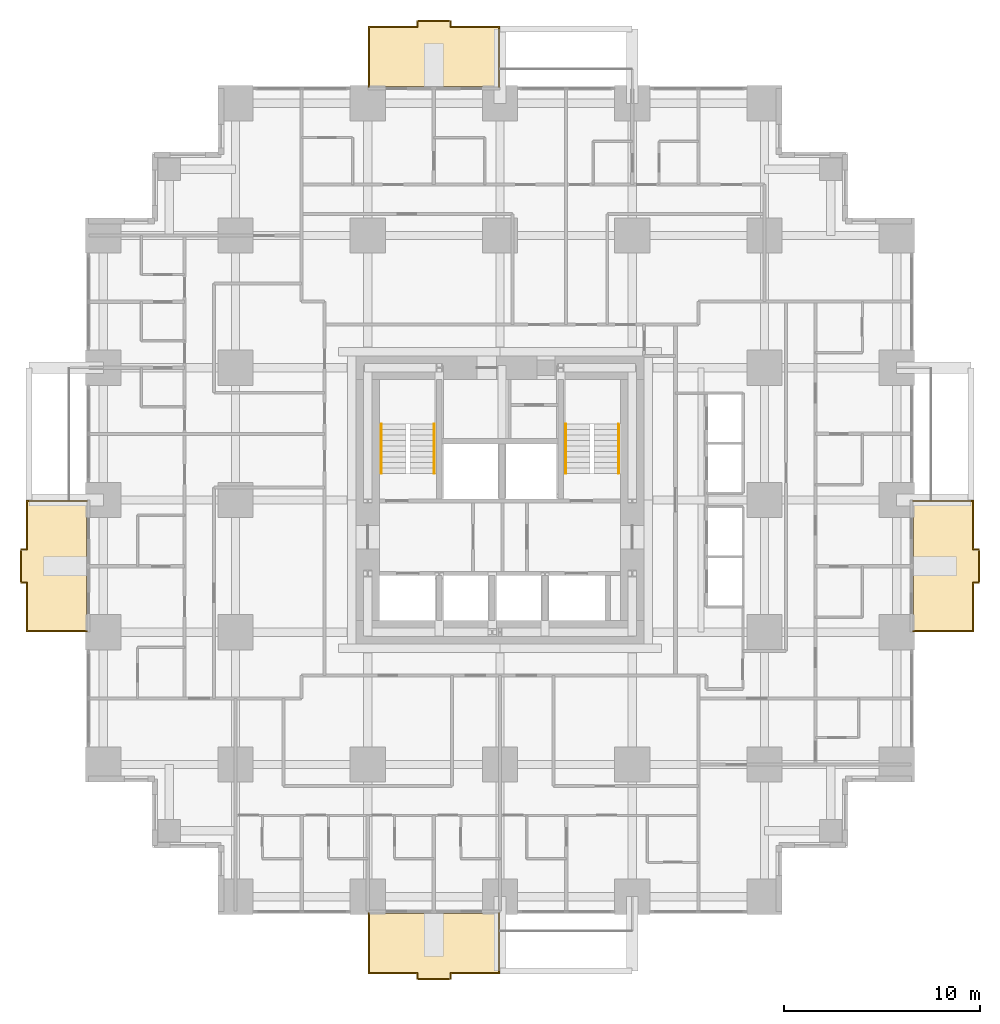
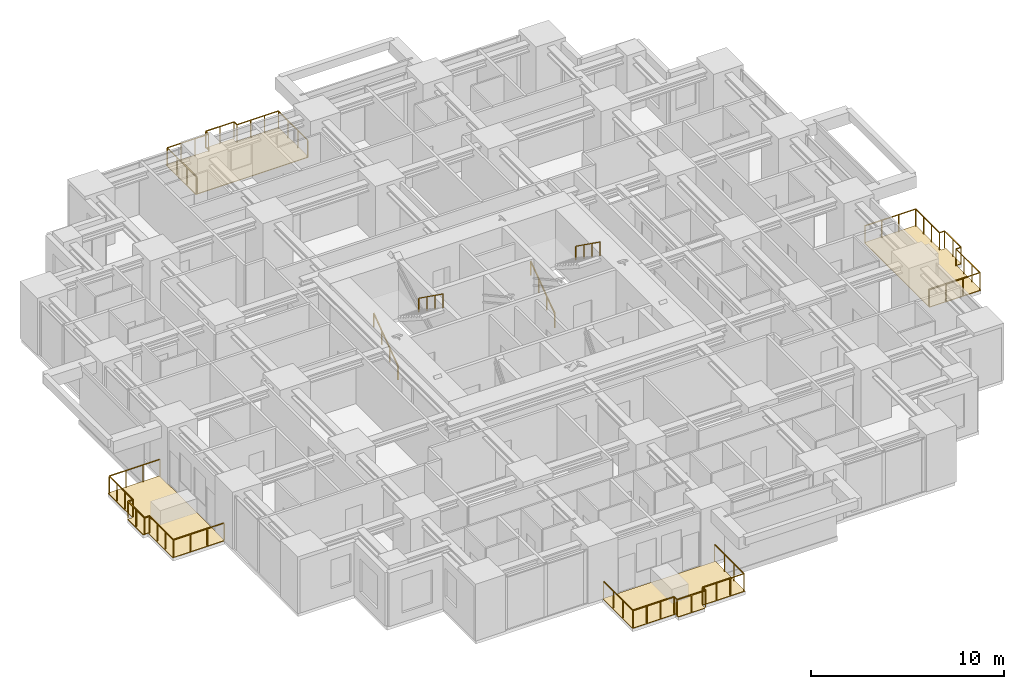
# One storey, part 14 of 14: 8 railings, 4 coverings.
"""IFC4 building model written with IfcOpenShell, lengths in metres."""

from ifc_helpers import new_model, si_unit, direction, frame, origin, origin_2d, place, context, subcontext, project, spatial, polyline, rectangle, outline, extrude, material, layer, layer_set, type_object, element, save


model = new_model("IFC4")

# Units and contexts
model_context = context("Model", 3, precision=1e-05, world=origin(), true_north=direction((0.0, 1.0)))
body_context = subcontext(model_context, "Body", "Model", "MODEL_VIEW")
ifc_project = project(units=[si_unit("LENGTHUNIT", "METRE"), si_unit("AREAUNIT", "SQUARE_METRE"), si_unit("VOLUMEUNIT", "CUBIC_METRE"), si_unit("PLANEANGLEUNIT", "RADIAN"), si_unit("MASSUNIT", "GRAM", prefix="KILO")], contexts=[model_context])

# Site, building, storey
site_placement = place(None, origin())
site = spatial("IfcSite", under=ifc_project, at=site_placement, CompositionType="ELEMENT")
building_placement = place(site_placement, origin())
building = spatial("IfcBuilding", under=site, at=building_placement, Name="Nyansa Garden Tower", CompositionType="ELEMENT")
storey_placement = place(building_placement, frame((0.0, 0.0, 68.39990234375)))
storey = spatial("IfcBuildingStorey", under=building, at=storey_placement, Name="L18", CompositionType="ELEMENT", Elevation=68.39990234375)

# Coverings
ifc_material_1 = material(Name="Hardwood decking on pedestals", Category="wood")
ifc_layer = layer(ifc_material_1, 0.0400390625)
ifc_layer_set = layer_set([ifc_layer], Name="Balcony decking DK40")
covering_type = type_object("IfcCoveringType", Name="Balcony decking DK40", PredefinedType="FLOORING", material=ifc_layer_set)
covering_1_placement = place(storey_placement, frame((0.0, 0.0, -0.039794921875)))
element("IfcCovering", 1, at=covering_1_placement, inside=storey, type_object=covering_type, Name="Balcony decking L18", PredefinedType="FLOORING", context=body_context, shape_type="SweptSolid", body=[
    extrude(outline(polyline([(13.5, -0.85009765625), (20.25, -0.85009765625), (20.25, -3.949951171875), (17.675048828125, -3.949951171875), (17.675048828125, -4.25), (16.074951171875, -4.25), (16.074951171875, -3.949951171875), (13.5, -3.949951171875), (13.5, -0.85009765625)])), origin(), (0.0, 0.0, 1.0), 0.039794921875),
])
covering_2_placement = place(storey_placement, frame((0.0, 0.0, -0.039794921875)))
element("IfcCovering", 2, at=covering_2_placement, inside=storey, type_object=covering_type, Name="Balcony decking L18", PredefinedType="FLOORING", context=body_context, shape_type="SweptSolid", body=[
    extrude(outline(polyline([(41.35009765625, 13.5), (41.35009765625, 20.25), (44.449951171875, 20.25), (44.449951171875, 17.675048828125), (44.75, 17.675048828125), (44.75, 16.074951171875), (44.449951171875, 16.074951171875), (44.449951171875, 13.5), (41.35009765625, 13.5)])), origin(), (0.0, 0.0, 1.0), 0.039794921875),
])
covering_3_placement = place(storey_placement, frame((0.0, 0.0, -0.039794921875)))
element("IfcCovering", 3, at=covering_3_placement, inside=storey, type_object=covering_type, Name="Balcony decking L18", PredefinedType="FLOORING", context=body_context, shape_type="SweptSolid", body=[
    extrude(outline(polyline([(13.5, 41.35009765625), (20.25, 41.35009765625), (20.25, 44.449951171875), (17.675048828125, 44.449951171875), (17.675048828125, 44.75), (16.074951171875, 44.75), (16.074951171875, 44.449951171875), (13.5, 44.449951171875), (13.5, 41.35009765625)])), origin(), (0.0, 0.0, 1.0), 0.039794921875),
])
covering_4_placement = place(storey_placement, frame((0.0, 0.0, -0.039794921875)))
element("IfcCovering", 4, at=covering_4_placement, inside=storey, type_object=covering_type, Name="Balcony decking L18", PredefinedType="FLOORING", context=body_context, shape_type="SweptSolid", body=[
    extrude(outline(polyline([(-0.85009765625, 13.5), (-0.85009765625, 20.25), (-3.949951171875, 20.25), (-3.949951171875, 17.675048828125), (-4.25, 17.675048828125), (-4.25, 16.074951171875), (-3.949951171875, 16.074951171875), (-3.949951171875, 13.5), (-0.85009765625, 13.5)])), origin(), (0.0, 0.0, 1.0), 0.039794921875),
])

# Railings
ifc_material_2 = material(Name="Black powder-coated steel balusters, laminated glass infill", Category="steel")
railing_type_1 = type_object("IfcRailingType", Name="Balcony guard G1", PredefinedType="GUARDRAIL", material=ifc_material_2)
railing_1_placement = place(storey_placement, frame((13.550048828125, -0.85009765625, 0.0)))
element("IfcRailing", 5, at=railing_1_placement, inside=storey, type_object=railing_type_1, Name="Balcony guard L18", PredefinedType="GUARDRAIL", context=body_context, shape_type="SweptSolid", body=[
    extrude(rectangle(XDim=0.048095703125, YDim=0.048095703125, at=origin_2d()), frame((0.0, 0.0, 1.076171875), z_axis=(0.0, -1.0, 0.0), x_axis=(1.0, 0.0, 0.0)), (0.0, 0.0, 1.0), 3.0498046875),
    extrude(rectangle(XDim=0.048095703125, YDim=0.048095703125, at=origin_2d()), frame((0.0, -3.0498046875, 1.076171875), z_axis=(1.0, 0.0, 0.0), x_axis=(0.0, 1.0, 0.0)), (0.0, 0.0, 1.0), 2.474853515625),
    extrude(rectangle(XDim=0.048095703125, YDim=0.048095703125, at=origin_2d()), frame((2.474853515625, -3.0498046875, 1.076171875), z_axis=(0.0, -1.0, 0.0), x_axis=(1.0, 0.0, 0.0)), (0.0, 0.0, 1.0), 0.300048828125),
    extrude(rectangle(XDim=0.048095703125, YDim=0.048095703125, at=origin_2d()), frame((2.474853515625, -3.349853515625, 1.076171875), z_axis=(1.0, 0.0, 0.0), x_axis=(0.0, 1.0, 0.0)), (0.0, 0.0, 1.0), 1.7001953125),
    extrude(rectangle(XDim=0.048095703125, YDim=0.048095703125, at=origin_2d()), frame((4.175048828125, -3.349853515625, 1.076171875), z_axis=(0.0, 1.0, 0.0), x_axis=(-1.0, 0.0, 0.0)), (0.0, 0.0, 1.0), 0.300048828125),
    extrude(rectangle(XDim=0.048095703125, YDim=0.048095703125, at=origin_2d()), frame((4.175048828125, -3.0498046875, 1.076171875), z_axis=(1.0, 0.0, 0.0), x_axis=(0.0, 1.0, 0.0)), (0.0, 0.0, 1.0), 2.474853515625),
    extrude(rectangle(XDim=0.048095703125, YDim=0.048095703125, at=origin_2d()), frame((6.64990234375, -3.0498046875, 1.076171875), z_axis=(0.0, 1.0, 0.0), x_axis=(-1.0, 0.0, 0.0)), (0.0, 0.0, 1.0), 3.0498046875),
    extrude(rectangle(XDim=0.0419921875, YDim=0.0419921875, at=origin_2d()), origin(), (0.0, 0.0, 1.0), 1.052001953125),
    extrude(rectangle(XDim=0.0419921875, YDim=0.0419921875, at=origin_2d()), frame((0.0, -1.0166015625, 0.0)), (0.0, 0.0, 1.0), 1.052001953125),
    extrude(rectangle(XDim=0.0419921875, YDim=0.0419921875, at=origin_2d()), frame((0.0, -2.033203125, 0.0)), (0.0, 0.0, 1.0), 1.052001953125),
    extrude(rectangle(XDim=0.0419921875, YDim=0.0419921875, at=origin_2d()), frame((0.0, -3.0498046875, 0.0)), (0.0, 0.0, 1.0), 1.052001953125),
    extrude(rectangle(XDim=0.0419921875, YDim=0.0419921875, at=origin_2d()), frame((0.824951171875, -3.0498046875, 0.0)), (0.0, 0.0, 1.0), 1.052001953125),
    extrude(rectangle(XDim=0.0419921875, YDim=0.0419921875, at=origin_2d()), frame((1.64990234375, -3.0498046875, 0.0)), (0.0, 0.0, 1.0), 1.052001953125),
    extrude(rectangle(XDim=0.0419921875, YDim=0.0419921875, at=origin_2d()), frame((2.474853515625, -3.0498046875, 0.0)), (0.0, 0.0, 1.0), 1.052001953125),
    extrude(rectangle(XDim=0.0419921875, YDim=0.0419921875, at=origin_2d()), frame((2.474853515625, -3.349853515625, 0.0)), (0.0, 0.0, 1.0), 1.052001953125),
    extrude(rectangle(XDim=0.0419921875, YDim=0.0419921875, at=origin_2d()), frame((3.324951171875, -3.349853515625, 0.0)), (0.0, 0.0, 1.0), 1.052001953125),
    extrude(rectangle(XDim=0.0419921875, YDim=0.0419921875, at=origin_2d()), frame((4.175048828125, -3.349853515625, 0.0)), (0.0, 0.0, 1.0), 1.052001953125),
    extrude(rectangle(XDim=0.0419921875, YDim=0.0419921875, at=origin_2d()), frame((4.175048828125, -3.0498046875, 0.0)), (0.0, 0.0, 1.0), 1.052001953125),
    extrude(rectangle(XDim=0.0419921875, YDim=0.0419921875, at=origin_2d()), frame((5.0, -3.0498046875, 0.0)), (0.0, 0.0, 1.0), 1.052001953125),
    extrude(rectangle(XDim=0.0419921875, YDim=0.0419921875, at=origin_2d()), frame((5.824951171875, -3.0498046875, 0.0)), (0.0, 0.0, 1.0), 1.052001953125),
    extrude(rectangle(XDim=0.0419921875, YDim=0.0419921875, at=origin_2d()), frame((6.64990234375, -3.0498046875, 0.0)), (0.0, 0.0, 1.0), 1.052001953125),
    extrude(rectangle(XDim=0.0419921875, YDim=0.0419921875, at=origin_2d()), frame((6.64990234375, -2.033203125, 0.0)), (0.0, 0.0, 1.0), 1.052001953125),
    extrude(rectangle(XDim=0.0419921875, YDim=0.0419921875, at=origin_2d()), frame((6.64990234375, -1.0166015625, 0.0)), (0.0, 0.0, 1.0), 1.052001953125),
    extrude(rectangle(XDim=0.0419921875, YDim=0.0419921875, at=origin_2d()), frame((6.64990234375, 0.0, 0.0)), (0.0, 0.0, 1.0), 1.052001953125),
])
railing_2_placement = place(storey_placement, frame((41.35009765625, 13.550048828125, 0.0)))
element("IfcRailing", 6, at=railing_2_placement, inside=storey, type_object=railing_type_1, Name="Balcony guard L18", PredefinedType="GUARDRAIL", context=body_context, shape_type="SweptSolid", body=[
    extrude(rectangle(XDim=0.048095703125, YDim=0.048095703125, at=origin_2d()), frame((0.0, 0.0, 1.076171875), z_axis=(1.0, 0.0, 0.0), x_axis=(0.0, 1.0, 0.0)), (0.0, 0.0, 1.0), 3.0498046875),
    extrude(rectangle(XDim=0.048095703125, YDim=0.048095703125, at=origin_2d()), frame((3.0498046875, 0.0, 1.076171875), z_axis=(0.0, 1.0, 0.0), x_axis=(-1.0, 0.0, 0.0)), (0.0, 0.0, 1.0), 2.474853515625),
    extrude(rectangle(XDim=0.048095703125, YDim=0.048095703125, at=origin_2d()), frame((3.0498046875, 2.474853515625, 1.076171875), z_axis=(1.0, 0.0, 0.0), x_axis=(0.0, 1.0, 0.0)), (0.0, 0.0, 1.0), 0.300048828125),
    extrude(rectangle(XDim=0.048095703125, YDim=0.048095703125, at=origin_2d()), frame((3.349853515625, 2.474853515625, 1.076171875), z_axis=(0.0, 1.0, 0.0), x_axis=(-1.0, 0.0, 0.0)), (0.0, 0.0, 1.0), 1.7001953125),
    extrude(rectangle(XDim=0.048095703125, YDim=0.048095703125, at=origin_2d()), frame((3.349853515625, 4.175048828125, 1.076171875), z_axis=(-1.0, 0.0, 0.0), x_axis=(0.0, -1.0, 0.0)), (0.0, 0.0, 1.0), 0.300048828125),
    extrude(rectangle(XDim=0.048095703125, YDim=0.048095703125, at=origin_2d()), frame((3.0498046875, 4.175048828125, 1.076171875), z_axis=(0.0, 1.0, 0.0), x_axis=(-1.0, 0.0, 0.0)), (0.0, 0.0, 1.0), 2.474853515625),
    extrude(rectangle(XDim=0.048095703125, YDim=0.048095703125, at=origin_2d()), frame((3.0498046875, 6.64990234375, 1.076171875), z_axis=(-1.0, 0.0, 0.0), x_axis=(0.0, -1.0, 0.0)), (0.0, 0.0, 1.0), 3.0498046875),
    extrude(rectangle(XDim=0.0419921875, YDim=0.0419921875, at=origin_2d()), origin(), (0.0, 0.0, 1.0), 1.052001953125),
    extrude(rectangle(XDim=0.0419921875, YDim=0.0419921875, at=origin_2d()), frame((1.0166015625, 0.0, 0.0)), (0.0, 0.0, 1.0), 1.052001953125),
    extrude(rectangle(XDim=0.0419921875, YDim=0.0419921875, at=origin_2d()), frame((2.033203125, 0.0, 0.0)), (0.0, 0.0, 1.0), 1.052001953125),
    extrude(rectangle(XDim=0.0419921875, YDim=0.0419921875, at=origin_2d()), frame((3.0498046875, 0.0, 0.0)), (0.0, 0.0, 1.0), 1.052001953125),
    extrude(rectangle(XDim=0.0419921875, YDim=0.0419921875, at=origin_2d()), frame((3.0498046875, 0.824951171875, 0.0)), (0.0, 0.0, 1.0), 1.052001953125),
    extrude(rectangle(XDim=0.0419921875, YDim=0.0419921875, at=origin_2d()), frame((3.0498046875, 1.64990234375, 0.0)), (0.0, 0.0, 1.0), 1.052001953125),
    extrude(rectangle(XDim=0.0419921875, YDim=0.0419921875, at=origin_2d()), frame((3.0498046875, 2.474853515625, 0.0)), (0.0, 0.0, 1.0), 1.052001953125),
    extrude(rectangle(XDim=0.0419921875, YDim=0.0419921875, at=origin_2d()), frame((3.349853515625, 2.474853515625, 0.0)), (0.0, 0.0, 1.0), 1.052001953125),
    extrude(rectangle(XDim=0.0419921875, YDim=0.0419921875, at=origin_2d()), frame((3.349853515625, 3.324951171875, 0.0)), (0.0, 0.0, 1.0), 1.052001953125),
    extrude(rectangle(XDim=0.0419921875, YDim=0.0419921875, at=origin_2d()), frame((3.349853515625, 4.175048828125, 0.0)), (0.0, 0.0, 1.0), 1.052001953125),
    extrude(rectangle(XDim=0.0419921875, YDim=0.0419921875, at=origin_2d()), frame((3.0498046875, 4.175048828125, 0.0)), (0.0, 0.0, 1.0), 1.052001953125),
    extrude(rectangle(XDim=0.0419921875, YDim=0.0419921875, at=origin_2d()), frame((3.0498046875, 5.0, 0.0)), (0.0, 0.0, 1.0), 1.052001953125),
    extrude(rectangle(XDim=0.0419921875, YDim=0.0419921875, at=origin_2d()), frame((3.0498046875, 5.824951171875, 0.0)), (0.0, 0.0, 1.0), 1.052001953125),
    extrude(rectangle(XDim=0.0419921875, YDim=0.0419921875, at=origin_2d()), frame((3.0498046875, 6.64990234375, 0.0)), (0.0, 0.0, 1.0), 1.052001953125),
    extrude(rectangle(XDim=0.0419921875, YDim=0.0419921875, at=origin_2d()), frame((2.033203125, 6.64990234375, 0.0)), (0.0, 0.0, 1.0), 1.052001953125),
    extrude(rectangle(XDim=0.0419921875, YDim=0.0419921875, at=origin_2d()), frame((1.0166015625, 6.64990234375, 0.0)), (0.0, 0.0, 1.0), 1.052001953125),
    extrude(rectangle(XDim=0.0419921875, YDim=0.0419921875, at=origin_2d()), frame((0.0, 6.64990234375, 0.0)), (0.0, 0.0, 1.0), 1.052001953125),
])
railing_3_placement = place(storey_placement, frame((13.550048828125, 41.35009765625, 0.0)))
element("IfcRailing", 7, at=railing_3_placement, inside=storey, type_object=railing_type_1, Name="Balcony guard L18", PredefinedType="GUARDRAIL", context=body_context, shape_type="SweptSolid", body=[
    extrude(rectangle(XDim=0.048095703125, YDim=0.048095703125, at=origin_2d()), frame((0.0, 0.0, 1.076171875), z_axis=(0.0, 1.0, 0.0), x_axis=(-1.0, 0.0, 0.0)), (0.0, 0.0, 1.0), 3.0498046875),
    extrude(rectangle(XDim=0.048095703125, YDim=0.048095703125, at=origin_2d()), frame((0.0, 3.0498046875, 1.076171875), z_axis=(1.0, 0.0, 0.0), x_axis=(0.0, 1.0, 0.0)), (0.0, 0.0, 1.0), 2.474853515625),
    extrude(rectangle(XDim=0.048095703125, YDim=0.048095703125, at=origin_2d()), frame((2.474853515625, 3.0498046875, 1.076171875), z_axis=(0.0, 1.0, 0.0), x_axis=(-1.0, 0.0, 0.0)), (0.0, 0.0, 1.0), 0.300048828125),
    extrude(rectangle(XDim=0.048095703125, YDim=0.048095703125, at=origin_2d()), frame((2.474853515625, 3.349853515625, 1.076171875), z_axis=(1.0, 0.0, 0.0), x_axis=(0.0, 1.0, 0.0)), (0.0, 0.0, 1.0), 1.7001953125),
    extrude(rectangle(XDim=0.048095703125, YDim=0.048095703125, at=origin_2d()), frame((4.175048828125, 3.349853515625, 1.076171875), z_axis=(0.0, -1.0, 0.0), x_axis=(1.0, 0.0, 0.0)), (0.0, 0.0, 1.0), 0.300048828125),
    extrude(rectangle(XDim=0.048095703125, YDim=0.048095703125, at=origin_2d()), frame((4.175048828125, 3.0498046875, 1.076171875), z_axis=(1.0, 0.0, 0.0), x_axis=(0.0, 1.0, 0.0)), (0.0, 0.0, 1.0), 2.474853515625),
    extrude(rectangle(XDim=0.048095703125, YDim=0.048095703125, at=origin_2d()), frame((6.64990234375, 3.0498046875, 1.076171875), z_axis=(0.0, -1.0, 0.0), x_axis=(1.0, 0.0, 0.0)), (0.0, 0.0, 1.0), 3.0498046875),
    extrude(rectangle(XDim=0.0419921875, YDim=0.0419921875, at=origin_2d()), origin(), (0.0, 0.0, 1.0), 1.052001953125),
    extrude(rectangle(XDim=0.0419921875, YDim=0.0419921875, at=origin_2d()), frame((0.0, 1.0166015625, 0.0)), (0.0, 0.0, 1.0), 1.052001953125),
    extrude(rectangle(XDim=0.0419921875, YDim=0.0419921875, at=origin_2d()), frame((0.0, 2.033203125, 0.0)), (0.0, 0.0, 1.0), 1.052001953125),
    extrude(rectangle(XDim=0.0419921875, YDim=0.0419921875, at=origin_2d()), frame((0.0, 3.0498046875, 0.0)), (0.0, 0.0, 1.0), 1.052001953125),
    extrude(rectangle(XDim=0.0419921875, YDim=0.0419921875, at=origin_2d()), frame((0.824951171875, 3.0498046875, 0.0)), (0.0, 0.0, 1.0), 1.052001953125),
    extrude(rectangle(XDim=0.0419921875, YDim=0.0419921875, at=origin_2d()), frame((1.64990234375, 3.0498046875, 0.0)), (0.0, 0.0, 1.0), 1.052001953125),
    extrude(rectangle(XDim=0.0419921875, YDim=0.0419921875, at=origin_2d()), frame((2.474853515625, 3.0498046875, 0.0)), (0.0, 0.0, 1.0), 1.052001953125),
    extrude(rectangle(XDim=0.0419921875, YDim=0.0419921875, at=origin_2d()), frame((2.474853515625, 3.349853515625, 0.0)), (0.0, 0.0, 1.0), 1.052001953125),
    extrude(rectangle(XDim=0.0419921875, YDim=0.0419921875, at=origin_2d()), frame((3.324951171875, 3.349853515625, 0.0)), (0.0, 0.0, 1.0), 1.052001953125),
    extrude(rectangle(XDim=0.0419921875, YDim=0.0419921875, at=origin_2d()), frame((4.175048828125, 3.349853515625, 0.0)), (0.0, 0.0, 1.0), 1.052001953125),
    extrude(rectangle(XDim=0.0419921875, YDim=0.0419921875, at=origin_2d()), frame((4.175048828125, 3.0498046875, 0.0)), (0.0, 0.0, 1.0), 1.052001953125),
    extrude(rectangle(XDim=0.0419921875, YDim=0.0419921875, at=origin_2d()), frame((5.0, 3.0498046875, 0.0)), (0.0, 0.0, 1.0), 1.052001953125),
    extrude(rectangle(XDim=0.0419921875, YDim=0.0419921875, at=origin_2d()), frame((5.824951171875, 3.0498046875, 0.0)), (0.0, 0.0, 1.0), 1.052001953125),
    extrude(rectangle(XDim=0.0419921875, YDim=0.0419921875, at=origin_2d()), frame((6.64990234375, 3.0498046875, 0.0)), (0.0, 0.0, 1.0), 1.052001953125),
    extrude(rectangle(XDim=0.0419921875, YDim=0.0419921875, at=origin_2d()), frame((6.64990234375, 2.033203125, 0.0)), (0.0, 0.0, 1.0), 1.052001953125),
    extrude(rectangle(XDim=0.0419921875, YDim=0.0419921875, at=origin_2d()), frame((6.64990234375, 1.0166015625, 0.0)), (0.0, 0.0, 1.0), 1.052001953125),
    extrude(rectangle(XDim=0.0419921875, YDim=0.0419921875, at=origin_2d()), frame((6.64990234375, 0.0, 0.0)), (0.0, 0.0, 1.0), 1.052001953125),
])
railing_4_placement = place(storey_placement, frame((-0.85009765625, 13.550048828125, 0.0)))
element("IfcRailing", 8, at=railing_4_placement, inside=storey, type_object=railing_type_1, Name="Balcony guard L18", PredefinedType="GUARDRAIL", context=body_context, shape_type="SweptSolid", body=[
    extrude(rectangle(XDim=0.048095703125, YDim=0.048095703125, at=origin_2d()), frame((0.0, 0.0, 1.076171875), z_axis=(-1.0, 0.0, 0.0), x_axis=(0.0, -1.0, 0.0)), (0.0, 0.0, 1.0), 3.0498046875),
    extrude(rectangle(XDim=0.048095703125, YDim=0.048095703125, at=origin_2d()), frame((-3.0498046875, 0.0, 1.076171875), z_axis=(0.0, 1.0, 0.0), x_axis=(-1.0, 0.0, 0.0)), (0.0, 0.0, 1.0), 2.474853515625),
    extrude(rectangle(XDim=0.048095703125, YDim=0.048095703125, at=origin_2d()), frame((-3.0498046875, 2.474853515625, 1.076171875), z_axis=(-1.0, 0.0, 0.0), x_axis=(0.0, -1.0, 0.0)), (0.0, 0.0, 1.0), 0.300048828125),
    extrude(rectangle(XDim=0.048095703125, YDim=0.048095703125, at=origin_2d()), frame((-3.349853515625, 2.474853515625, 1.076171875), z_axis=(0.0, 1.0, 0.0), x_axis=(-1.0, 0.0, 0.0)), (0.0, 0.0, 1.0), 1.7001953125),
    extrude(rectangle(XDim=0.048095703125, YDim=0.048095703125, at=origin_2d()), frame((-3.349853515625, 4.175048828125, 1.076171875), z_axis=(1.0, 0.0, 0.0), x_axis=(0.0, 1.0, 0.0)), (0.0, 0.0, 1.0), 0.300048828125),
    extrude(rectangle(XDim=0.048095703125, YDim=0.048095703125, at=origin_2d()), frame((-3.0498046875, 4.175048828125, 1.076171875), z_axis=(0.0, 1.0, 0.0), x_axis=(-1.0, 0.0, 0.0)), (0.0, 0.0, 1.0), 2.474853515625),
    extrude(rectangle(XDim=0.048095703125, YDim=0.048095703125, at=origin_2d()), frame((-3.0498046875, 6.64990234375, 1.076171875), z_axis=(1.0, 0.0, 0.0), x_axis=(0.0, 1.0, 0.0)), (0.0, 0.0, 1.0), 3.0498046875),
    extrude(rectangle(XDim=0.0419921875, YDim=0.0419921875, at=origin_2d()), origin(), (0.0, 0.0, 1.0), 1.052001953125),
    extrude(rectangle(XDim=0.0419921875, YDim=0.0419921875, at=origin_2d()), frame((-1.0166015625, 0.0, 0.0)), (0.0, 0.0, 1.0), 1.052001953125),
    extrude(rectangle(XDim=0.0419921875, YDim=0.0419921875, at=origin_2d()), frame((-2.033203125, 0.0, 0.0)), (0.0, 0.0, 1.0), 1.052001953125),
    extrude(rectangle(XDim=0.0419921875, YDim=0.0419921875, at=origin_2d()), frame((-3.0498046875, 0.0, 0.0)), (0.0, 0.0, 1.0), 1.052001953125),
    extrude(rectangle(XDim=0.0419921875, YDim=0.0419921875, at=origin_2d()), frame((-3.0498046875, 0.824951171875, 0.0)), (0.0, 0.0, 1.0), 1.052001953125),
    extrude(rectangle(XDim=0.0419921875, YDim=0.0419921875, at=origin_2d()), frame((-3.0498046875, 1.64990234375, 0.0)), (0.0, 0.0, 1.0), 1.052001953125),
    extrude(rectangle(XDim=0.0419921875, YDim=0.0419921875, at=origin_2d()), frame((-3.0498046875, 2.474853515625, 0.0)), (0.0, 0.0, 1.0), 1.052001953125),
    extrude(rectangle(XDim=0.0419921875, YDim=0.0419921875, at=origin_2d()), frame((-3.349853515625, 2.474853515625, 0.0)), (0.0, 0.0, 1.0), 1.052001953125),
    extrude(rectangle(XDim=0.0419921875, YDim=0.0419921875, at=origin_2d()), frame((-3.349853515625, 3.324951171875, 0.0)), (0.0, 0.0, 1.0), 1.052001953125),
    extrude(rectangle(XDim=0.0419921875, YDim=0.0419921875, at=origin_2d()), frame((-3.349853515625, 4.175048828125, 0.0)), (0.0, 0.0, 1.0), 1.052001953125),
    extrude(rectangle(XDim=0.0419921875, YDim=0.0419921875, at=origin_2d()), frame((-3.0498046875, 4.175048828125, 0.0)), (0.0, 0.0, 1.0), 1.052001953125),
    extrude(rectangle(XDim=0.0419921875, YDim=0.0419921875, at=origin_2d()), frame((-3.0498046875, 5.0, 0.0)), (0.0, 0.0, 1.0), 1.052001953125),
    extrude(rectangle(XDim=0.0419921875, YDim=0.0419921875, at=origin_2d()), frame((-3.0498046875, 5.824951171875, 0.0)), (0.0, 0.0, 1.0), 1.052001953125),
    extrude(rectangle(XDim=0.0419921875, YDim=0.0419921875, at=origin_2d()), frame((-3.0498046875, 6.64990234375, 0.0)), (0.0, 0.0, 1.0), 1.052001953125),
    extrude(rectangle(XDim=0.0419921875, YDim=0.0419921875, at=origin_2d()), frame((-2.033203125, 6.64990234375, 0.0)), (0.0, 0.0, 1.0), 1.052001953125),
    extrude(rectangle(XDim=0.0419921875, YDim=0.0419921875, at=origin_2d()), frame((-1.0166015625, 6.64990234375, 0.0)), (0.0, 0.0, 1.0), 1.052001953125),
    extrude(rectangle(XDim=0.0419921875, YDim=0.0419921875, at=origin_2d()), frame((0.0, 6.64990234375, 0.0)), (0.0, 0.0, 1.0), 1.052001953125),
])
ifc_material_3 = material(Name="Black powder-coated steel tube 48 mm", Category="steel")
railing_type_2 = type_object("IfcRailingType", Name="Stair handrail HR1", PredefinedType="HANDRAIL", material=ifc_material_3)
railing_5_placement = place(storey_placement, frame((14.199951171875, 21.60009765625, 0.0)))
element("IfcRailing", 9, at=railing_5_placement, inside=storey, type_object=railing_type_2, Name="Stair S1 handrail L18", PredefinedType="HANDRAIL", context=body_context, shape_type="SweptSolid", body=[
    extrude(rectangle(XDim=0.048095703125, YDim=0.048095703125, at=origin_2d()), frame((0.0, 0.0, 0.8759765625), z_axis=(0.0, 0.813728144527, 0.581245650998), x_axis=(-1.0, 0.0, 0.0)), (0.0, 0.0, 1.0), 3.096923828125),
    extrude(rectangle(XDim=0.0419921875, YDim=0.0419921875, at=origin_2d()), origin(), (0.0, 0.0, 1.0), 0.851806640625),
    extrude(rectangle(XDim=0.0419921875, YDim=0.0419921875, at=origin_2d()), frame((0.0, 0.840087890625, 0.60009765625)), (0.0, 0.0, 1.0), 0.851806640625),
    extrude(rectangle(XDim=0.0419921875, YDim=0.0419921875, at=origin_2d()), frame((0.0, 1.679931640625, 1.199951171875)), (0.0, 0.0, 1.0), 0.851806640625),
    extrude(rectangle(XDim=0.0419921875, YDim=0.0419921875, at=origin_2d()), frame((0.0, 2.52001953125, 1.800048828125)), (0.0, 0.0, 1.0), 0.851806640625),
])
railing_6_placement = place(storey_placement, frame((16.89990234375, 24.1201171875, 1.800048828125)))
element("IfcRailing", 10, at=railing_6_placement, inside=storey, type_object=railing_type_2, Name="Stair S1 handrail L18", PredefinedType="HANDRAIL", context=body_context, shape_type="SweptSolid", body=[
    extrude(rectangle(XDim=0.048095703125, YDim=0.048095703125, at=origin_2d()), frame((0.0, 0.0, 0.8759765625), z_axis=(0.0, -0.813728144527, 0.581245650998), x_axis=(1.0, 0.0, 0.0)), (0.0, 0.0, 1.0), 3.096923828125),
    extrude(rectangle(XDim=0.0419921875, YDim=0.0419921875, at=origin_2d()), origin(), (0.0, 0.0, 1.0), 0.851806640625),
    extrude(rectangle(XDim=0.0419921875, YDim=0.0419921875, at=origin_2d()), frame((0.0, -0.840087890625, 0.60009765625)), (0.0, 0.0, 1.0), 0.851806640625),
    extrude(rectangle(XDim=0.0419921875, YDim=0.0419921875, at=origin_2d()), frame((0.0, -1.679931640625, 1.199951171875)), (0.0, 0.0, 1.0), 0.851806640625),
    extrude(rectangle(XDim=0.0419921875, YDim=0.0419921875, at=origin_2d()), frame((0.0, -2.52001953125, 1.800048828125)), (0.0, 0.0, 1.0), 0.851806640625),
])
railing_7_placement = place(storey_placement, frame((23.60009765625, 21.60009765625, 0.0)))
element("IfcRailing", 11, at=railing_7_placement, inside=storey, type_object=railing_type_2, Name="Stair S2 handrail L18", PredefinedType="HANDRAIL", context=body_context, shape_type="SweptSolid", body=[
    extrude(rectangle(XDim=0.048095703125, YDim=0.048095703125, at=origin_2d()), frame((0.0, 0.0, 0.8759765625), z_axis=(0.0, 0.813728144527, 0.581245650998), x_axis=(-1.0, 0.0, 0.0)), (0.0, 0.0, 1.0), 3.096923828125),
    extrude(rectangle(XDim=0.0419921875, YDim=0.0419921875, at=origin_2d()), origin(), (0.0, 0.0, 1.0), 0.851806640625),
    extrude(rectangle(XDim=0.0419921875, YDim=0.0419921875, at=origin_2d()), frame((0.0, 0.840087890625, 0.60009765625)), (0.0, 0.0, 1.0), 0.851806640625),
    extrude(rectangle(XDim=0.0419921875, YDim=0.0419921875, at=origin_2d()), frame((0.0, 1.679931640625, 1.199951171875)), (0.0, 0.0, 1.0), 0.851806640625),
    extrude(rectangle(XDim=0.0419921875, YDim=0.0419921875, at=origin_2d()), frame((0.0, 2.52001953125, 1.800048828125)), (0.0, 0.0, 1.0), 0.851806640625),
])
railing_8_placement = place(storey_placement, frame((26.300048828125, 24.1201171875, 1.800048828125)))
element("IfcRailing", 12, at=railing_8_placement, inside=storey, type_object=railing_type_2, Name="Stair S2 handrail L18", PredefinedType="HANDRAIL", context=body_context, shape_type="SweptSolid", body=[
    extrude(rectangle(XDim=0.048095703125, YDim=0.048095703125, at=origin_2d()), frame((0.0, 0.0, 0.8759765625), z_axis=(0.0, -0.813728144527, 0.581245650998), x_axis=(1.0, 0.0, 0.0)), (0.0, 0.0, 1.0), 3.096923828125),
    extrude(rectangle(XDim=0.0419921875, YDim=0.0419921875, at=origin_2d()), origin(), (0.0, 0.0, 1.0), 0.851806640625),
    extrude(rectangle(XDim=0.0419921875, YDim=0.0419921875, at=origin_2d()), frame((0.0, -0.840087890625, 0.60009765625)), (0.0, 0.0, 1.0), 0.851806640625),
    extrude(rectangle(XDim=0.0419921875, YDim=0.0419921875, at=origin_2d()), frame((0.0, -1.679931640625, 1.199951171875)), (0.0, 0.0, 1.0), 0.851806640625),
    extrude(rectangle(XDim=0.0419921875, YDim=0.0419921875, at=origin_2d()), frame((0.0, -2.52001953125, 1.800048828125)), (0.0, 0.0, 1.0), 0.851806640625),
])

save(model, "model.ifc")
